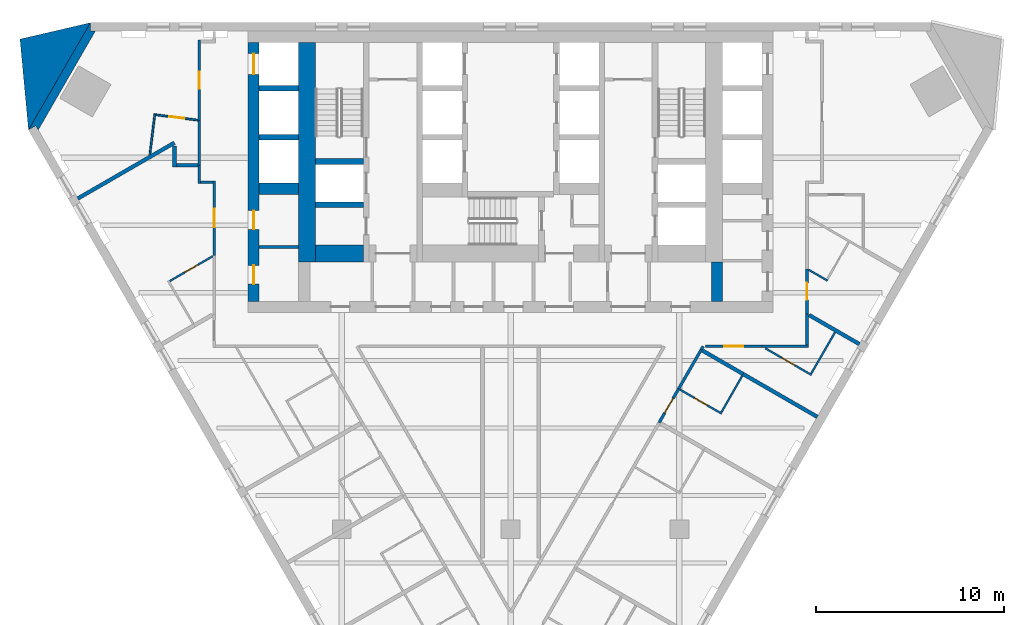
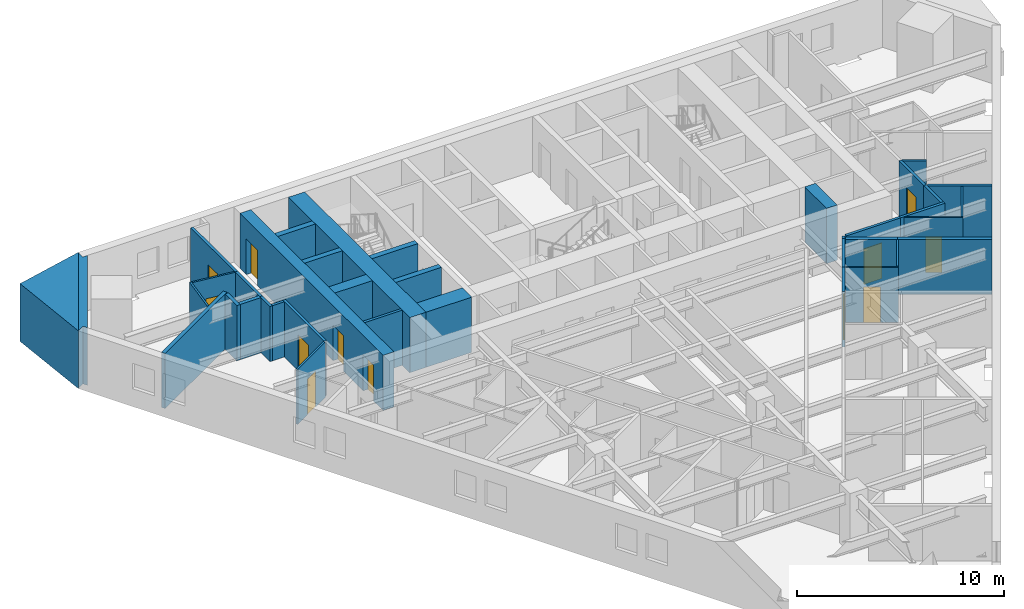
# One storey, part 5 of 10: 38 walls, 12 doors, 12 openings.
"""IFC4 building model written with IfcOpenShell, lengths in metres."""

import ifcopenshell
import ifcopenshell.guid

model = None  # the IFC model being written
_history = None  # IfcOwnerHistory: only IFC2X3 demands one
_inside = {}  # id of a spatial element -> (the spatial element, [elements in it])
_under = {}  # id of a project, library or spatial element -> (it, [spatial elements below it])
_declared = {}  # id of a project -> (the project, [libraries it declares])
_typed = {}  # id of a type object -> (the type object, [elements of that type])
_made_of = {}  # id of a material, layer set ... -> (it, [elements and type objects made of it])


def new_model(schema):
    """Start an empty IFC model of exactly this schema.

    Asked for "IFC4X3", IfcOpenShell would pick the latest addendum, in which some entities
    have other attributes; the version numbers below select the first issue.
    IFC2X3 requires an IfcOwnerHistory on every rooted entity: one is made here for all.
    """
    global model, _history
    if schema == "IFC4X3":
        model = ifcopenshell.file(schema_version=(4, 3, 0, 0))
    else:
        model = ifcopenshell.file(schema=schema)
    _inside.clear()
    _under.clear()
    _declared.clear()
    _typed.clear()
    _made_of.clear()
    _history = None
    if model.schema == "IFC2X3":
        org = make("IfcOrganization", Name="unknown")
        user = make(
            "IfcPersonAndOrganization",
            ThePerson=make("IfcPerson", FamilyName="unknown"),
            TheOrganization=org,
        )
        app = make(
            "IfcApplication",
            ApplicationDeveloper=org,
            Version="unknown",
            ApplicationFullName="unknown",
            ApplicationIdentifier="unknown",
        )
        _history = make(
            "IfcOwnerHistory",
            OwningUser=user,
            OwningApplication=app,
            ChangeAction="ADDED",
            CreationDate=0,
        )
    return model


def make(cls, **values):
    """One entity of the class cls with the attributes given. An attribute that is None is left unset."""
    return model.create_entity(
        cls, **{name: value for name, value in values.items() if value is not None}
    )


def rooted(cls, **values):
    """An entity with a GlobalId (a new one), such as an element, a storey or a relation."""
    return make(cls, GlobalId=ifcopenshell.guid.new(), OwnerHistory=_history, **values)


def si_unit(unit_type, name, prefix=None):
    """IfcSIUnit, for example si_unit("LENGTHUNIT", "METRE", prefix="MILLI")."""
    return make("IfcSIUnit", UnitType=unit_type, Prefix=prefix, Name=name)


def assignment(units):
    """IfcUnitAssignment: the units of a project."""
    return None if units is None else make("IfcUnitAssignment", Units=units)


def point(xyz):
    """IfcCartesianPoint."""
    return None if xyz is None else make("IfcCartesianPoint", Coordinates=xyz)


def direction(xyz):
    """IfcDirection."""
    return None if xyz is None else make("IfcDirection", DirectionRatios=xyz)


def frame(location, z_axis=None, x_axis=None):
    """IfcAxis2Placement3D, a coordinate frame: its origin and axes. An axis left out is left unset."""
    return make(
        "IfcAxis2Placement3D",
        Location=point(location),
        Axis=direction(z_axis),
        RefDirection=direction(x_axis),
    )


def frame_2d(location, x_axis=None):
    """IfcAxis2Placement2D, a coordinate frame in the plane: its origin and x axis."""
    return make(
        "IfcAxis2Placement2D", Location=point(location), RefDirection=direction(x_axis)
    )


def origin():
    """The frame at (0, 0, 0) with its axes left unset."""
    return frame((0.0, 0.0, 0.0))


def place(relative_to, where):
    """IfcLocalPlacement: puts the frame where relative to a parent placement (None: the world)."""
    return make(
        "IfcLocalPlacement", PlacementRelTo=relative_to, RelativePlacement=where
    )


def context(
    kind, dimensions, precision=None, world=None, true_north=None, identifier=None
):
    """IfcGeometricRepresentationContext, for example the 3D "Model" context."""
    return make(
        "IfcGeometricRepresentationContext",
        ContextIdentifier=identifier,
        ContextType=kind,
        CoordinateSpaceDimension=dimensions,
        Precision=precision,
        WorldCoordinateSystem=world,
        TrueNorth=true_north,
    )


def subcontext(parent, identifier, kind, view, scale=None):
    """IfcGeometricRepresentationSubContext, for example "Body" below "Model"."""
    return make(
        "IfcGeometricRepresentationSubContext",
        ContextIdentifier=identifier,
        ContextType=kind,
        ParentContext=parent,
        TargetScale=scale,
        TargetView=view,
    )


def project(units=None, contexts=None):
    """IfcProject with its units and contexts."""
    return rooted(
        "IfcProject",
        Name="project",
        RepresentationContexts=contexts,
        UnitsInContext=assignment(units),
    )


def spatial(cls, under=None, at=None, **own):
    """A site, building, storey or space (cls), placed at a placement, below another one or the project."""
    s = rooted(cls, ObjectPlacement=at, **own)
    if under is not None:
        _under.setdefault(under.id(), (under, []))[1].append(s)
    return s


def polyline(points):
    """IfcPolyline through the points."""
    return make("IfcPolyline", Points=[point(p) for p in points])


def profile(cls, at=None, kind="AREA", **sizes):
    """A parametric profile (cls). Its sizes go by their IFC names, for example OverallWidth=200.0."""
    return make(cls, ProfileType=kind, Position=at, **sizes)


def rectangle(**sizes):
    """IfcRectangleProfileDef."""
    return profile("IfcRectangleProfileDef", **sizes)


def outline(outer, holes=None, kind="AREA"):
    """IfcArbitraryClosedProfileDef: a profile drawn as a closed curve; with holes, ...WithVoids."""
    if holes is None:
        return make("IfcArbitraryClosedProfileDef", ProfileType=kind, OuterCurve=outer)
    return make(
        "IfcArbitraryProfileDefWithVoids",
        ProfileType=kind,
        OuterCurve=outer,
        InnerCurves=holes,
    )


def extrude(swept, where, along, depth):
    """IfcExtrudedAreaSolid: the profile swept, set in the frame where, extruded along a direction by depth."""
    return make(
        "IfcExtrudedAreaSolid",
        SweptArea=swept,
        Position=where,
        ExtrudedDirection=direction(along),
        Depth=depth,
    )


def shape(context_of_items, identifier, shape_type, items):
    """IfcShapeRepresentation: the items that make up one representation, for example the "Body"."""
    return make(
        "IfcShapeRepresentation",
        ContextOfItems=context_of_items,
        RepresentationIdentifier=identifier,
        RepresentationType=shape_type,
        Items=items,
    )


def material(Name=None, Category=None):
    """IfcMaterial."""
    return make("IfcMaterial", Name=Name, Category=Category)


def layer(
    of_material, thickness, ventilated=None, Name=None, Category=None, Priority=None
):
    """IfcMaterialLayer: one layer of a wall or slab, of a material (None: an air gap)."""
    return make(
        "IfcMaterialLayer",
        Material=of_material,
        LayerThickness=thickness,
        IsVentilated=ventilated,
        Name=Name,
        Category=Category,
        Priority=Priority,
    )


def layer_set(layers, Name=None):
    """IfcMaterialLayerSet."""
    return make("IfcMaterialLayerSet", MaterialLayers=layers, LayerSetName=Name)


def made_of(thing, what):
    """Note that an element or type object is made of a material, layer set ...; save() writes the relation."""
    if what is not None:
        _made_of.setdefault(what.id(), (what, []))[1].append(thing)
    return thing


def type_object(cls, material=None, **own):
    """A type object (cls), such as IfcWallType, which elements share."""
    return made_of(rooted(cls, **own), material)


def element(
    cls,
    number,
    at=None,
    inside=None,
    cuts=None,
    type_object=None,
    material=None,
    context=None,
    identifier="Body",
    shape_type=None,
    held_by="IfcProductDefinitionShape",
    body=None,
    shapes=None,
    **own,
):
    """One element of the class cls, such as IfcWall. Its Tag is "e" and its number.

    at: its placement. inside: the storey or other place that contains it. cuts: it is an
    opening in that element (IfcRelVoidsElement). A single representation is given by context,
    identifier, shape_type and body (its items); several are given by shapes. held_by: the class
    of the entity that holds the representations. save() writes the other relations.
    """
    e = rooted(cls, Tag="e%d" % number, ObjectPlacement=at, **own)
    if body is not None:
        shapes = [shape(context, identifier, shape_type, body)]
    if shapes is not None:
        e.Representation = make(held_by, Representations=shapes)
    if inside is not None:
        _inside.setdefault(inside.id(), (inside, []))[1].append(e)
    if cuts is not None:
        rooted(
            "IfcRelVoidsElement", RelatingBuildingElement=cuts, RelatedOpeningElement=e
        )
    if type_object is not None:
        _typed.setdefault(type_object.id(), (type_object, []))[1].append(e)
    return made_of(e, material)


def fill(opening, filler):
    """IfcRelFillsElement: the door or window that sits in an opening."""
    return rooted(
        "IfcRelFillsElement",
        RelatingOpeningElement=opening,
        RelatedBuildingElement=filler,
    )


def aggregate(whole, parts):
    """IfcRelAggregates: a whole, such as a stair, and the parts it consists of."""
    return rooted("IfcRelAggregates", RelatingObject=whole, RelatedObjects=parts)


def save(model, path):
    """Write the relations noted so far, then the file.

    IfcRelAggregates (storeys below a building ...), IfcRelContainedInSpatialStructure (elements
    in a storey), IfcRelDefinesByType, IfcRelAssociatesMaterial and IfcRelDeclares: one each for
    every whole, place, type object, material and project.
    """
    for whole, parts in _under.values():
        aggregate(whole, parts)
    for where, things in _inside.values():
        rooted(
            "IfcRelContainedInSpatialStructure",
            RelatedElements=things,
            RelatingStructure=where,
        )
    for kind, things in _typed.values():
        rooted("IfcRelDefinesByType", RelatedObjects=things, RelatingType=kind)
    for what, things in _made_of.values():
        rooted("IfcRelAssociatesMaterial", RelatedObjects=things, RelatingMaterial=what)
    for by, libraries in _declared.values():
        rooted("IfcRelDeclares", RelatingContext=by, RelatedDefinitions=libraries)
    model.write(path)


model = new_model("IFC4")

# Units and contexts
model_context = context("Model", 3, precision=1e-05, world=origin(), true_north=direction((0.0, 1.0)))
body_context = subcontext(model_context, "Body", "Model", "MODEL_VIEW")
ifc_project = project(units=[si_unit("LENGTHUNIT", "METRE"), si_unit("AREAUNIT", "SQUARE_METRE"), si_unit("VOLUMEUNIT", "CUBIC_METRE"), si_unit("PLANEANGLEUNIT", "RADIAN"), si_unit("MASSUNIT", "GRAM", prefix="KILO")], contexts=[model_context])

# Site, building, storey
site_placement = place(None, origin())
site = spatial("IfcSite", under=ifc_project, at=site_placement, CompositionType="ELEMENT")
building_placement = place(site_placement, origin())
building = spatial("IfcBuilding", under=site, at=building_placement, Name="Aloe Facet Convention Tower", CompositionType="ELEMENT")
storey_placement = place(building_placement, frame((0.0, 0.0, 73.5)))
storey = spatial("IfcBuildingStorey", under=building, at=storey_placement, Name="L17", CompositionType="ELEMENT", Elevation=73.5)

# Walls
ifc_material_1 = material(Name="Concrete blockwork partition", Category="masonry")
ifc_layer_1 = layer(ifc_material_1, 0.14990234375)
ifc_layer_set_1 = layer_set([ifc_layer_1], Name="CR-W-PART150")
wall_type_1 = type_object("IfcWallType", Name="CR-W-PART150", PredefinedType="PARTITIONING", material=ifc_layer_set_1)
wall_1_placement = place(storey_placement, frame((66.60009765625, 123.048583984375, 0.0), z_axis=(0.0, 0.0, 1.0), x_axis=(1.0, 0.0, 0.0)))
element("IfcWall", 1, at=wall_1_placement, inside=storey, type_object=wall_type_1, Name="Core partition L17-007", PredefinedType="PARTITIONING", context=body_context, shape_type="SweptSolid", body=[
    extrude(rectangle(XDim=2.099853515625, YDim=0.14990234375, at=frame_2d((1.0498046875, 0.0))), origin(), (0.0, 0.0, 1.0), 3.25),
])
ifc_material_2 = material(Name="Concrete C80/95", Category="concrete")
ifc_layer_2 = layer(ifc_material_2, 0.300048828125)
ifc_layer_set_2 = layer_set([ifc_layer_2], Name="CR-W-RC300-C8095")
wall_type_2 = type_object("IfcWallType", Name="CR-W-RC300-C8095", PredefinedType="SOLIDWALL", material=ifc_layer_set_2)
for number, where, z_axis, x_axis, name in (
    (2, (66.60009765625, 131.5, 0.0), (0.0, 0.0, 1.0), (1.0, 0.0, 0.0), "Core wall L17-004"),
    (3, (66.60009765625, 128.89990234375, 0.0), (0.0, 0.0, 1.0), (1.0, 0.0, 0.0), "Core wall L17-005"),
):
    element("IfcWall", number, at=place(storey_placement, frame(where, z_axis=z_axis, x_axis=x_axis)), inside=storey, type_object=wall_type_2, Name=name, PredefinedType="SOLIDWALL", context=body_context, shape_type="SweptSolid", body=[
        extrude(rectangle(XDim=2.099853515625, YDim=0.300048828125, at=frame_2d((1.0498046875, 0.0))), origin(), (0.0, 0.0, 1.0), 3.25),
    ])
for number, where, z_axis, x_axis, name in (
    (4, (69.60009765625, 127.60009765625, 0.0), (0.0, 0.0, 1.0), (1.0, 0.0, 0.0), "Core wall L17-010"),
    (5, (69.60009765625, 125.300048828125, 0.0), (0.0, 0.0, 1.0), (1.0, 0.0, 0.0), "Core wall L17-011"),
):
    element("IfcWall", number, at=place(storey_placement, frame(where, z_axis=z_axis, x_axis=x_axis)), inside=storey, type_object=wall_type_2, Name=name, PredefinedType="SOLIDWALL", context=body_context, shape_type="SweptSolid", body=[
        extrude(rectangle(XDim=2.5498046875, YDim=0.300048828125, at=frame_2d((1.27490234375, 0.0))), origin(), (0.0, 0.0, 1.0), 3.25),
    ])

# Wall, openings, doors
ifc_material_3 = material(Name="Concrete C80/95", Category="concrete")
ifc_layer_3 = layer(ifc_material_3, 0.60009765625)
ifc_layer_set_3 = layer_set([ifc_layer_3], Name="CR-W-RC600-C8095")
wall_type_3 = type_object("IfcWallType", Name="CR-W-RC600-C8095", PredefinedType="SOLIDWALL", material=ifc_layer_set_3)
wall_2_placement = place(storey_placement, frame((66.300048828125, 133.949951171875, 0.0), z_axis=(0.0, 0.0, 1.0), x_axis=(0.0, -1.0, 0.0)))
wall_2 = element("IfcWall", 6, at=wall_2_placement, inside=storey, type_object=wall_type_3, Name="Core wall L17-002", PredefinedType="SOLIDWALL", context=body_context, shape_type="SweptSolid", body=[
    extrude(rectangle(XDim=13.800048828125, YDim=0.60009765625, at=frame_2d((6.89990234375, 0.0))), origin(), (0.0, 0.0, 1.0), 3.25),
])
opening_1_placement = place(wall_2_placement, frame((0.60009765625, 0.0, 0.0)))
opening_1 = element("IfcOpeningElement", 7, at=opening_1_placement, cuts=wall_2, Name="Opening LD-A7-L17", PredefinedType="OPENING", context=body_context, shape_type="SweptSolid", body=[
    extrude(rectangle(XDim=1.10009765625, YDim=2.10009765625, at=frame_2d((0.550048828125, 1.050048828125))), frame((0.0, 0.31005859375, 0.0), z_axis=(0.0, -1.0, 0.0), x_axis=(1.0, 0.0, 0.0)), (0.0, 0.0, 1.0), 0.6201171875),
])
opening_2_placement = place(wall_2_placement, frame((8.963134765625, 0.0, 0.0)))
opening_2 = element("IfcOpeningElement", 8, at=opening_2_placement, cuts=wall_2, Name="Opening L17-CD34", PredefinedType="OPENING", context=body_context, shape_type="SweptSolid", body=[
    extrude(rectangle(XDim=1.0, YDim=2.10009765625, at=frame_2d((0.5, 1.050048828125))), frame((0.0, 0.31005859375, 0.0), z_axis=(0.0, -1.0, 0.0), x_axis=(1.0, 0.0, 0.0)), (0.0, 0.0, 1.0), 0.6201171875),
])
opening_3_placement = place(wall_2_placement, frame((11.88818359375, 0.0, 0.0)))
opening_3 = element("IfcOpeningElement", 9, at=opening_3_placement, cuts=wall_2, Name="Opening L17-CD35", PredefinedType="OPENING", context=body_context, shape_type="SweptSolid", body=[
    extrude(rectangle(XDim=1.0, YDim=2.10009765625, at=frame_2d((0.5, 1.050048828125))), frame((0.0, 0.31005859375, 0.0), z_axis=(0.0, -1.0, 0.0), x_axis=(1.0, 0.0, 0.0)), (0.0, 0.0, 1.0), 0.6201171875),
])
ifc_material_4 = material(Name="Steel fire-resisting door set FD60", Category="steel")
door_type_1 = type_object("IfcDoorType", Name="CR-D-ROOM-1000-FD60-SLEFT", OperationType="SINGLE_SWING_LEFT", PredefinedType="DOOR", material=ifc_material_4)
door_1_placement = place(opening_2_placement, origin())
door_1 = element("IfcDoor", 10, at=door_1_placement, inside=storey, type_object=door_type_1, Name="Core door L17-CD34", OperationType="SINGLE_SWING_LEFT", OverallHeight=2.10009765625, OverallWidth=1.0, PredefinedType="DOOR", context=body_context, shape_type="SweptSolid", body=[
    extrude(rectangle(XDim=1.0, YDim=2.10009765625, at=frame_2d((0.5, 1.050048828125))), frame((0.0, 0.02490234375, 0.0), z_axis=(0.0, -1.0, 0.0), x_axis=(1.0, 0.0, 0.0)), (0.0, 0.0, 1.0), 0.050048828125),
])
fill(opening_2, door_1)
door_2_placement = place(opening_3_placement, origin())
door_2 = element("IfcDoor", 11, at=door_2_placement, inside=storey, type_object=door_type_1, Name="Core door L17-CD35", OperationType="SINGLE_SWING_LEFT", OverallHeight=2.10009765625, OverallWidth=1.0, PredefinedType="DOOR", context=body_context, shape_type="SweptSolid", body=[
    extrude(rectangle(XDim=1.0, YDim=2.10009765625, at=frame_2d((0.5, 1.050048828125))), frame((0.0, 0.02490234375, 0.0), z_axis=(0.0, -1.0, 0.0), x_axis=(1.0, 0.0, 0.0)), (0.0, 0.0, 1.0), 0.050048828125),
])
fill(opening_3, door_2)
ifc_material_5 = material(Name="Stainless steel sliding landing door", Category="steel")
door_type_2 = type_object("IfcDoorType", Name="CR-LD-1100-FD60-_LEFT", OperationType="SLIDING_TO_LEFT", PredefinedType="DOOR", material=ifc_material_5)
door_3_placement = place(opening_1_placement, origin())
door_3 = element("IfcDoor", 12, at=door_3_placement, inside=storey, type_object=door_type_2, Name="Landing door A7 L17", OperationType="SLIDING_TO_LEFT", OverallHeight=2.10009765625, OverallWidth=1.10009765625, PredefinedType="DOOR", context=body_context, shape_type="SweptSolid", body=[
    extrude(rectangle(XDim=1.10009765625, YDim=2.10009765625, at=frame_2d((0.550048828125, 1.050048828125))), frame((0.0, 0.02490234375, 0.0), z_axis=(0.0, -1.0, 0.0), x_axis=(1.0, 0.0, 0.0)), (0.0, 0.0, 1.0), 0.050048828125),
])
fill(opening_1, door_3)

# Walls
wall_3_placement = place(storey_placement, frame((66.60009765625, 126.14990234375, 0.0), z_axis=(0.0, 0.0, 1.0), x_axis=(1.0, 0.0, 0.0)))
element("IfcWall", 13, at=wall_3_placement, inside=storey, type_object=wall_type_3, Name="Core wall L17-006", PredefinedType="SOLIDWALL", context=body_context, shape_type="SweptSolid", body=[
    extrude(rectangle(XDim=2.099853515625, YDim=0.60009765625, at=frame_2d((1.0498046875, 0.0))), origin(), (0.0, 0.0, 1.0), 3.25),
])
wall_4_placement = place(storey_placement, frame((91.0, 122.25, 0.0), z_axis=(0.0, 0.0, 1.0), x_axis=(0.0, -1.0, 0.0)))
element("IfcWall", 14, at=wall_4_placement, inside=storey, type_object=wall_type_3, Name="Core wall L17-047", PredefinedType="SOLIDWALL", context=body_context, shape_type="SweptSolid", body=[
    extrude(rectangle(XDim=2.10009765625, YDim=0.60009765625, at=frame_2d((1.050048828125, 0.0))), origin(), (0.0, 0.0, 1.0), 3.25),
])
ifc_material_6 = material(Name="Concrete C80/95", Category="concrete")
ifc_layer_4 = layer(ifc_material_6, 0.89990234375)
ifc_layer_set_4 = layer_set([ifc_layer_4], Name="CR-W-RC900-C8095")
wall_type_4 = type_object("IfcWallType", Name="CR-W-RC900-C8095", PredefinedType="SOLIDWALL", material=ifc_layer_set_4)
wall_5_placement = place(storey_placement, frame((69.14990234375, 133.949951171875, 0.0), z_axis=(0.0, 0.0, 1.0), x_axis=(0.0, -1.0, 0.0)))
element("IfcWall", 15, at=wall_5_placement, inside=storey, type_object=wall_type_4, Name="Core wall L17-008", PredefinedType="SOLIDWALL", context=body_context, shape_type="SweptSolid", body=[
    extrude(rectangle(XDim=11.699951171875, YDim=0.89990234375, at=frame_2d((5.85009765625, 0.0))), origin(), (0.0, 0.0, 1.0), 3.25),
])
wall_6_placement = place(storey_placement, frame((69.60009765625, 122.699951171875, 0.0), z_axis=(0.0, 0.0, 1.0), x_axis=(1.0, 0.0, 0.0)))
element("IfcWall", 16, at=wall_6_placement, inside=storey, type_object=wall_type_4, Name="Core wall L17-012", PredefinedType="SOLIDWALL", context=body_context, shape_type="SweptSolid", body=[
    extrude(rectangle(XDim=2.5498046875, YDim=0.89990234375, at=frame_2d((1.27490234375, 0.0))), origin(), (0.0, 0.0, 1.0), 3.25),
])
ifc_material_7 = material(Name="Precast concrete C40/50", Category="concrete")
ifc_layer_5 = layer(ifc_material_7, 0.449951171875)
ifc_layer_set_5 = layer_set([ifc_layer_5], Name="EV-WALL-PIER")
wall_type_5 = type_object("IfcWallType", Name="EV-WALL-PIER", PredefinedType="SOLIDWALL", material=ifc_layer_set_5)
wall_7_placement = place(storey_placement, frame((0.0, 0.0, -0.14990234375)))
element("IfcWall", 17, at=wall_7_placement, inside=storey, type_object=wall_type_5, Name="EP-L17-A", PredefinedType="SOLIDWALL", context=body_context, shape_type="SweptSolid", body=[
    extrude(outline(polyline([(57.60009765625, 135.0), (57.60009765625, 134.550048828125), (57.85986328125, 134.550048828125), (54.819580078125, 129.2841796875), (54.689697265625, 129.50927734375), (54.300048828125, 129.2841796875), (57.60009765625, 135.0)])), origin(), (0.0, 0.0, 1.0), 3.39990234375),
])
ifc_material_8 = material(Name="Precast concrete C40/50", Category="concrete")
ifc_layer_6 = layer(ifc_material_8, 3.947998046875)
ifc_layer_set_6 = layer_set([ifc_layer_6], Name="EV-WALL-SPINE")
wall_type_6 = type_object("IfcWallType", Name="EV-WALL-SPINE", PredefinedType="SOLIDWALL", material=ifc_layer_set_6)
wall_8_placement = place(storey_placement, frame((0.0, 0.0, -0.14990234375)))
element("IfcWall", 18, at=wall_8_placement, inside=storey, type_object=wall_type_6, Name="SP-NW-L17", PredefinedType="SOLIDWALL", context=body_context, shape_type="SweptSolid", body=[
    extrude(outline(polyline([(57.60009765625, 135.0), (53.84814453125, 134.126953125), (54.300048828125, 129.2841796875), (57.60009765625, 135.0)])), origin(), (0.0, 0.0, 1.0), 3.39990234375),
])
ifc_material_9 = material(Name="Gypsum board partition on steel studs", Category="steel")
ifc_layer_7 = layer(ifc_material_9, 0.14990234375)
ifc_layer_set_7 = layer_set([ifc_layer_7], Name="IN-W-CORR")
wall_type_7 = type_object("IfcWallType", Name="IN-W-CORR", PredefinedType="PARTITIONING", material=ifc_layer_set_7)
wall_9_placement = place(storey_placement, frame((88.958251953125, 115.486572265625, 0.0), z_axis=(0.0, 0.0, 1.0), x_axis=(0.500001309137, 0.866024647952, 0.0)))
element("IfcWall", 19, at=wall_9_placement, inside=storey, type_object=wall_type_7, Name="Partition L17-W064", PredefinedType="PARTITIONING", context=body_context, shape_type="SweptSolid", body=[
    extrude(rectangle(XDim=2.39990234375, YDim=0.14990234375, at=frame_2d((1.199951171875, 0.0))), origin(), (0.0, 0.0, 1.0), 3.25),
])

# Wall, opening, door
wall_10_placement = place(storey_placement, frame((87.918212890625, 113.685302734375, 0.0), z_axis=(0.0, 0.0, 1.0), x_axis=(0.500027264788, 0.866009661879, 0.0)))
wall_10 = element("IfcWall", 20, at=wall_10_placement, inside=storey, type_object=wall_type_7, Name="Partition L17-W065", PredefinedType="PARTITIONING", context=body_context, shape_type="SweptSolid", body=[
    extrude(rectangle(XDim=2.080078125, YDim=0.14990234375, at=frame_2d((1.0400390625, 0.0))), origin(), (0.0, 0.0, 1.0), 3.25),
])
opening_4_placement = place(wall_10_placement, frame((0.590087890625, 0.0, 0.0)))
opening_4 = element("IfcOpeningElement", 21, at=opening_4_placement, cuts=wall_10, Name="Opening L17-009", PredefinedType="OPENING", context=body_context, shape_type="SweptSolid", body=[
    extrude(rectangle(XDim=0.89990234375, YDim=2.10009765625, at=frame_2d((0.449951171875, 1.050048828125))), frame((0.0, 0.0849609375, 0.0), z_axis=(0.0, -1.0, 0.0), x_axis=(1.0, 0.0, 0.0)), (0.0, 0.0, 1.0), 0.169921875),
])
ifc_material_10 = material(Name="Hardwood flush door FD30S", Category="wood")
door_type_3 = type_object("IfcDoorType", Name="IN-D-GUEST", OperationType="SINGLE_SWING_LEFT", PredefinedType="DOOR", material=ifc_material_10)
door_4_placement = place(opening_4_placement, origin())
door_4 = element("IfcDoor", 22, at=door_4_placement, inside=storey, type_object=door_type_3, Name="Door L17-009", OperationType="SINGLE_SWING_LEFT", OverallHeight=2.10009765625, OverallWidth=0.89990234375, PredefinedType="DOOR", context=body_context, shape_type="SweptSolid", body=[
    extrude(rectangle(XDim=0.89990234375, YDim=2.10009765625, at=frame_2d((0.449951171875, 1.050048828125))), frame((0.0, 0.02490234375, 0.0), z_axis=(0.0, -1.0, 0.0), x_axis=(1.0, 0.0, 0.0)), (0.0, 0.0, 1.0), 0.050048828125),
])
fill(opening_4, door_4)

# Walls
wall_11_placement = place(storey_placement, frame((90.158203125, 117.56494140625, 0.0), z_axis=(0.0, 0.0, 1.0), x_axis=(0.499458580617, 0.866337766837, 0.0)))
element("IfcWall", 23, at=wall_11_placement, inside=storey, type_object=wall_type_7, Name="Partition L17-W080", PredefinedType="PARTITIONING", context=body_context, shape_type="SweptSolid", body=[
    extrude(rectangle(XDim=0.213623046875, YDim=0.14990234375, at=frame_2d((0.10693359375, 0.0))), origin(), (0.0, 0.0, 1.0), 3.25),
])
wall_12_placement = place(storey_placement, frame((93.39794921875, 117.75, 0.0), z_axis=(0.0, 0.0, 1.0), x_axis=(1.0, 0.0, 0.0)))
element("IfcWall", 24, at=wall_12_placement, inside=storey, type_object=wall_type_7, Name="Partition L17-W081", PredefinedType="PARTITIONING", context=body_context, shape_type="SweptSolid", body=[
    extrude(rectangle(XDim=2.47705078125, YDim=0.14990234375, at=frame_2d((1.238525390625, 0.0))), origin(), (0.0, 0.0, 1.0), 3.25),
])

# Wall, opening, door
wall_13_placement = place(storey_placement, frame((90.394775390625, 117.75, 0.0), z_axis=(0.0, 0.0, 1.0), x_axis=(1.0, 0.0, 0.0)))
wall_13 = element("IfcWall", 25, at=wall_13_placement, inside=storey, type_object=wall_type_7, Name="Partition L17-W082", PredefinedType="PARTITIONING", context=body_context, shape_type="SweptSolid", body=[
    extrude(rectangle(XDim=3.003173828125, YDim=0.14990234375, at=frame_2d((1.50146484375, 0.0))), origin(), (0.0, 0.0, 1.0), 3.25),
])
opening_5_placement = place(wall_13_placement, frame((1.00146484375, 0.0, 0.0)))
opening_5 = element("IfcOpeningElement", 26, at=opening_5_placement, cuts=wall_13, Name="Opening L17-010", PredefinedType="OPENING", context=body_context, shape_type="SweptSolid", body=[
    extrude(rectangle(XDim=1.0, YDim=2.10009765625, at=frame_2d((0.5, 1.050048828125))), frame((0.0, 0.0849609375, 0.0), z_axis=(0.0, -1.0, 0.0), x_axis=(1.0, 0.0, 0.0)), (0.0, 0.0, 1.0), 0.169921875),
])
ifc_material_11 = material(Name="Hardwood flush door FD30S", Category="wood")
door_type_4 = type_object("IfcDoorType", Name="IN-D-WIDE", OperationType="SINGLE_SWING_LEFT", PredefinedType="DOOR", material=ifc_material_11)
door_5_placement = place(opening_5_placement, origin())
door_5 = element("IfcDoor", 27, at=door_5_placement, inside=storey, type_object=door_type_4, Name="Door L17-010", OperationType="SINGLE_SWING_LEFT", OverallHeight=2.10009765625, OverallWidth=1.0, PredefinedType="DOOR", context=body_context, shape_type="SweptSolid", body=[
    extrude(rectangle(XDim=1.0, YDim=2.10009765625, at=frame_2d((0.5, 1.050048828125))), frame((0.0, 0.02490234375, 0.0), z_axis=(0.0, -1.0, 0.0), x_axis=(1.0, 0.0, 0.0)), (0.0, 0.0, 1.0), 0.050048828125),
])
fill(opening_5, door_5)

# Wall
wall_14_placement = place(storey_placement, frame((95.800048828125, 117.824951171875, 0.0), z_axis=(0.0, 0.0, 1.0), x_axis=(0.0, 1.0, 0.0)))
element("IfcWall", 28, at=wall_14_placement, inside=storey, type_object=wall_type_7, Name="Partition L17-W083", PredefinedType="PARTITIONING", context=body_context, shape_type="SweptSolid", body=[
    extrude(rectangle(XDim=1.65576171875, YDim=0.14990234375, at=frame_2d((0.827880859375, 0.0))), origin(), (0.0, 0.0, 1.0), 3.25),
])

# Wall, opening, door
wall_15_placement = place(storey_placement, frame((95.800048828125, 119.480712890625, 0.0), z_axis=(0.0, 0.0, 1.0), x_axis=(0.0, 1.0, 0.0)))
wall_15 = element("IfcWall", 29, at=wall_15_placement, inside=storey, type_object=wall_type_7, Name="Partition L17-W094", PredefinedType="PARTITIONING", context=body_context, shape_type="SweptSolid", body=[
    extrude(rectangle(XDim=2.40185546875, YDim=0.14990234375, at=frame_2d((1.200927734375, 0.0))), origin(), (0.0, 0.0, 1.0), 3.25),
])
opening_6_placement = place(wall_15_placement, frame((0.7509765625, 0.0, 0.0)))
opening_6 = element("IfcOpeningElement", 30, at=opening_6_placement, cuts=wall_15, Name="Opening L17-011", PredefinedType="OPENING", context=body_context, shape_type="SweptSolid", body=[
    extrude(rectangle(XDim=0.89990234375, YDim=2.10009765625, at=frame_2d((0.449951171875, 1.050048828125))), frame((0.0, 0.0849609375, 0.0), z_axis=(0.0, -1.0, 0.0), x_axis=(1.0, 0.0, 0.0)), (0.0, 0.0, 1.0), 0.169921875),
])
door_6_placement = place(opening_6_placement, origin())
door_6 = element("IfcDoor", 31, at=door_6_placement, inside=storey, type_object=door_type_3, Name="Door L17-011", OperationType="SINGLE_SWING_LEFT", OverallHeight=2.10009765625, OverallWidth=0.89990234375, PredefinedType="DOOR", context=body_context, shape_type="SweptSolid", body=[
    extrude(rectangle(XDim=0.89990234375, YDim=2.10009765625, at=frame_2d((0.449951171875, 1.050048828125))), frame((0.0, 0.02490234375, 0.0), z_axis=(0.0, -1.0, 0.0), x_axis=(1.0, 0.0, 0.0)), (0.0, 0.0, 1.0), 0.050048828125),
])
fill(opening_6, door_6)

wall_16_placement = place(storey_placement, frame((64.199951171875, 122.5986328125, 0.0), z_axis=(0.0, 0.0, 1.0), x_axis=(0.0, 1.0, 0.0)))
wall_16 = element("IfcWall", 32, at=wall_16_placement, inside=storey, type_object=wall_type_7, Name="Partition L17-W095", PredefinedType="PARTITIONING", context=body_context, shape_type="SweptSolid", body=[
    extrude(rectangle(XDim=3.976318359375, YDim=0.14990234375, at=frame_2d((1.98828125, 0.0))), origin(), (0.0, 0.0, 1.0), 3.25),
])
opening_7_placement = place(wall_16_placement, frame((1.48828125, 0.0, 0.0)))
opening_7 = element("IfcOpeningElement", 33, at=opening_7_placement, cuts=wall_16, Name="Opening L17-003", PredefinedType="OPENING", context=body_context, shape_type="SweptSolid", body=[
    extrude(rectangle(XDim=1.0, YDim=2.10009765625, at=frame_2d((0.5, 1.050048828125))), frame((0.0, 0.0849609375, 0.0), z_axis=(0.0, -1.0, 0.0), x_axis=(1.0, 0.0, 0.0)), (0.0, 0.0, 1.0), 0.169921875),
])
door_7_placement = place(opening_7_placement, origin())
door_7 = element("IfcDoor", 34, at=door_7_placement, inside=storey, type_object=door_type_4, Name="Door L17-003", OperationType="SINGLE_SWING_LEFT", OverallHeight=2.10009765625, OverallWidth=1.0, PredefinedType="DOOR", context=body_context, shape_type="SweptSolid", body=[
    extrude(rectangle(XDim=1.0, YDim=2.10009765625, at=frame_2d((0.5, 1.050048828125))), frame((0.0, 0.02490234375, 0.0), z_axis=(0.0, -1.0, 0.0), x_axis=(1.0, 0.0, 0.0)), (0.0, 0.0, 1.0), 0.050048828125),
])
fill(opening_7, door_7)

# Walls
wall_17_placement = place(storey_placement, frame((63.39990234375, 126.425048828125, 0.0), z_axis=(0.0, 0.0, 1.0), x_axis=(0.0, 1.0, 0.0)))
element("IfcWall", 35, at=wall_17_placement, inside=storey, type_object=wall_type_7, Name="Partition L17-W107", PredefinedType="PARTITIONING", context=body_context, shape_type="SweptSolid", body=[
    extrude(rectangle(XDim=0.974853515625, YDim=0.14990234375, at=frame_2d((0.4873046875, 0.0))), origin(), (0.0, 0.0, 1.0), 3.25),
])
wall_18_placement = place(storey_placement, frame((63.47509765625, 126.5, 0.0), z_axis=(0.0, 0.0, 1.0), x_axis=(1.0, 0.0, 0.0)))
element("IfcWall", 36, at=wall_18_placement, inside=storey, type_object=wall_type_7, Name="Partition L17-W108", PredefinedType="PARTITIONING", context=body_context, shape_type="SweptSolid", body=[
    extrude(rectangle(XDim=0.64990234375, YDim=0.14990234375, at=frame_2d((0.324951171875, 0.0))), origin(), (0.0, 0.0, 1.0), 3.25),
])

# Wall, opening, door
wall_19_placement = place(storey_placement, frame((63.39990234375, 129.798095703125, 0.0), z_axis=(0.0, 0.0, 1.0), x_axis=(0.0, 1.0, 0.0)))
wall_19 = element("IfcWall", 37, at=wall_19_placement, inside=storey, type_object=wall_type_7, Name="Partition L17-W116", PredefinedType="PARTITIONING", context=body_context, shape_type="SweptSolid", body=[
    extrude(rectangle(XDim=4.2763671875, YDim=0.14990234375, at=frame_2d((2.13818359375, 0.0))), origin(), (0.0, 0.0, 1.0), 3.25),
])
opening_8_placement = place(wall_19_placement, frame((1.688232421875, 0.0, 0.0)))
opening_8 = element("IfcOpeningElement", 38, at=opening_8_placement, cuts=wall_19, Name="Opening L17-002", PredefinedType="OPENING", context=body_context, shape_type="SweptSolid", body=[
    extrude(rectangle(XDim=0.89990234375, YDim=2.10009765625, at=frame_2d((0.449951171875, 1.050048828125))), frame((0.0, 0.0849609375, 0.0), z_axis=(0.0, -1.0, 0.0), x_axis=(1.0, 0.0, 0.0)), (0.0, 0.0, 1.0), 0.169921875),
])
door_8_placement = place(opening_8_placement, origin())
door_8 = element("IfcDoor", 39, at=door_8_placement, inside=storey, type_object=door_type_3, Name="Door L17-002", OperationType="SINGLE_SWING_LEFT", OverallHeight=2.10009765625, OverallWidth=0.89990234375, PredefinedType="DOOR", context=body_context, shape_type="SweptSolid", body=[
    extrude(rectangle(XDim=0.89990234375, YDim=2.10009765625, at=frame_2d((0.449951171875, 1.050048828125))), frame((0.0, 0.02490234375, 0.0), z_axis=(0.0, -1.0, 0.0), x_axis=(1.0, 0.0, 0.0)), (0.0, 0.0, 1.0), 0.050048828125),
])
fill(opening_8, door_8)

# Wall
wall_20_placement = place(storey_placement, frame((63.39990234375, 127.39990234375, 0.0), z_axis=(0.0, 0.0, 1.0), x_axis=(0.0, 1.0, 0.0)))
element("IfcWall", 40, at=wall_20_placement, inside=storey, type_object=wall_type_7, Name="Partition L17-W117", PredefinedType="PARTITIONING", context=body_context, shape_type="SweptSolid", body=[
    extrude(rectangle(XDim=2.398193359375, YDim=0.14990234375, at=frame_2d((1.19921875, 0.0))), origin(), (0.0, 0.0, 1.0), 3.25),
])

# Wall, opening, door
ifc_material_12 = material(Name="Gypsum board partition on steel studs", Category="steel")
ifc_layer_8 = layer(ifc_material_12, 0.10009765625)
ifc_layer_set_8 = layer_set([ifc_layer_8], Name="IN-W-PART")
wall_type_8 = type_object("IfcWallType", Name="IN-W-PART", PredefinedType="PARTITIONING", material=ifc_layer_set_8)
wall_21_placement = place(storey_placement, frame((89.03173828125, 115.444091796875, 0.0), z_axis=(0.0, 0.0, 1.0), x_axis=(0.866038183914, -0.499977863513, 0.0)))
wall_21 = element("IfcWall", 41, at=wall_21_placement, inside=storey, type_object=wall_type_8, Name="Partition L17-W062", PredefinedType="PARTITIONING", context=body_context, shape_type="SweptSolid", body=[
    extrude(rectangle(XDim=2.56494140625, YDim=0.10009765625, at=frame_2d((1.282470703125, 0.0))), origin(), (0.0, 0.0, 1.0), 3.25),
])
opening_9_placement = place(wall_21_placement, frame((0.882568359375, 0.0, 0.0)))
opening_9 = element("IfcOpeningElement", 42, at=opening_9_placement, cuts=wall_21, Name="Opening L17-028", PredefinedType="OPENING", context=body_context, shape_type="SweptSolid", body=[
    extrude(rectangle(XDim=0.800048828125, YDim=2.10009765625, at=frame_2d((0.39990234375, 1.050048828125))), frame((0.0, 0.06005859375, 0.0), z_axis=(0.0, -1.0, 0.0), x_axis=(1.0, 0.0, 0.0)), (0.0, 0.0, 1.0), 0.1201171875),
])
ifc_material_13 = material(Name="Timber flush door", Category="wood")
door_type_5 = type_object("IfcDoorType", Name="IN-D-BATH", OperationType="SINGLE_SWING_LEFT", PredefinedType="DOOR", material=ifc_material_13)
door_9_placement = place(opening_9_placement, origin())
door_9 = element("IfcDoor", 43, at=door_9_placement, inside=storey, type_object=door_type_5, Name="Door L17-028", OperationType="SINGLE_SWING_LEFT", OverallHeight=2.10009765625, OverallWidth=0.800048828125, PredefinedType="DOOR", context=body_context, shape_type="SweptSolid", body=[
    extrude(rectangle(XDim=0.800048828125, YDim=2.10009765625, at=frame_2d((0.39990234375, 1.050048828125))), frame((0.0, 0.02490234375, 0.0), z_axis=(0.0, -1.0, 0.0), x_axis=(1.0, 0.0, 0.0)), (0.0, 0.0, 1.0), 0.050048828125),
])
fill(opening_9, door_9)

wall_22_placement = place(storey_placement, frame((93.575439453125, 117.6474609375, 0.0), z_axis=(0.0, 0.0, 1.0), x_axis=(0.866048401274, -0.499960165064, 0.0)))
wall_22 = element("IfcWall", 44, at=wall_22_placement, inside=storey, type_object=wall_type_8, Name="Partition L17-W066", PredefinedType="PARTITIONING", context=body_context, shape_type="SweptSolid", body=[
    extrude(rectangle(XDim=2.844970703125, YDim=0.10009765625, at=frame_2d((1.42236328125, 0.0))), origin(), (0.0, 0.0, 1.0), 3.25),
])
opening_10_placement = place(wall_22_placement, frame((1.0224609375, 0.0, 0.0)))
opening_10 = element("IfcOpeningElement", 45, at=opening_10_placement, cuts=wall_22, Name="Opening L17-029", PredefinedType="OPENING", context=body_context, shape_type="SweptSolid", body=[
    extrude(rectangle(XDim=0.800048828125, YDim=2.10009765625, at=frame_2d((0.39990234375, 1.050048828125))), frame((0.0, 0.06005859375, 0.0), z_axis=(0.0, -1.0, 0.0), x_axis=(1.0, 0.0, 0.0)), (0.0, 0.0, 1.0), 0.1201171875),
])
door_10_placement = place(opening_10_placement, origin())
door_10 = element("IfcDoor", 46, at=door_10_placement, inside=storey, type_object=door_type_5, Name="Door L17-029", OperationType="SINGLE_SWING_LEFT", OverallHeight=2.10009765625, OverallWidth=0.800048828125, PredefinedType="DOOR", context=body_context, shape_type="SweptSolid", body=[
    extrude(rectangle(XDim=0.800048828125, YDim=2.10009765625, at=frame_2d((0.39990234375, 1.050048828125))), frame((0.0, 0.02490234375, 0.0), z_axis=(0.0, -1.0, 0.0), x_axis=(1.0, 0.0, 0.0)), (0.0, 0.0, 1.0), 0.050048828125),
])
fill(opening_10, door_10)

# Walls
wall_23_placement = place(storey_placement, frame((91.23974609375, 114.23876953125, 0.0), z_axis=(0.0, 0.0, 1.0), x_axis=(0.496398307955, 0.868094879526, 0.0)))
element("IfcWall", 47, at=wall_23_placement, inside=storey, type_object=wall_type_8, Name="Partition L17-W067", PredefinedType="PARTITIONING", context=body_context, shape_type="SweptSolid", body=[
    extrude(rectangle(XDim=2.22998046875, YDim=0.10009765625, at=frame_2d((1.114990234375, 0.0))), origin(), (0.0, 0.0, 1.0), 3.25),
])
wall_24_placement = place(storey_placement, frame((96.02099609375, 116.293212890625, 0.0), z_axis=(0.0, 0.0, 1.0), x_axis=(0.500005339912, 0.866022320763, 0.0)))
element("IfcWall", 48, at=wall_24_placement, inside=storey, type_object=wall_type_8, Name="Partition L17-W086", PredefinedType="PARTITIONING", context=body_context, shape_type="SweptSolid", body=[
    extrude(rectangle(XDim=2.5400390625, YDim=0.10009765625, at=frame_2d((1.27001953125, 0.0))), origin(), (0.0, 0.0, 1.0), 3.25),
])

# Wall, opening, door
wall_25_placement = place(storey_placement, frame((61.8271484375, 121.228515625, 0.0), z_axis=(0.0, 0.0, 1.0), x_axis=(0.86601342167, 0.500020753057, 0.0)))
wall_25 = element("IfcWall", 49, at=wall_25_placement, inside=storey, type_object=wall_type_8, Name="Partition L17-W091", PredefinedType="PARTITIONING", context=body_context, shape_type="SweptSolid", body=[
    extrude(rectangle(XDim=2.64501953125, YDim=0.10009765625, at=frame_2d((1.322509765625, 0.0))), origin(), (0.0, 0.0, 1.0), 3.25),
])
opening_11_placement = place(wall_25_placement, frame((0.922607421875, 0.0, 0.0)))
opening_11 = element("IfcOpeningElement", 50, at=opening_11_placement, cuts=wall_25, Name="Opening L17-019", PredefinedType="OPENING", context=body_context, shape_type="SweptSolid", body=[
    extrude(rectangle(XDim=0.800048828125, YDim=2.10009765625, at=frame_2d((0.39990234375, 1.050048828125))), frame((0.0, 0.06005859375, 0.0), z_axis=(0.0, -1.0, 0.0), x_axis=(1.0, 0.0, 0.0)), (0.0, 0.0, 1.0), 0.1201171875),
])
door_11_placement = place(opening_11_placement, origin())
door_11 = element("IfcDoor", 51, at=door_11_placement, inside=storey, type_object=door_type_5, Name="Door L17-019", OperationType="SINGLE_SWING_LEFT", OverallHeight=2.10009765625, OverallWidth=0.800048828125, PredefinedType="DOOR", context=body_context, shape_type="SweptSolid", body=[
    extrude(rectangle(XDim=0.800048828125, YDim=2.10009765625, at=frame_2d((0.39990234375, 1.050048828125))), frame((0.0, 0.02490234375, 0.0), z_axis=(0.0, -1.0, 0.0), x_axis=(1.0, 0.0, 0.0)), (0.0, 0.0, 1.0), 0.050048828125),
])
fill(opening_11, door_11)

# Walls
wall_26_placement = place(storey_placement, frame((95.88232421875, 121.835205078125, 0.0), z_axis=(0.0, 0.0, 1.0), x_axis=(0.86601174498, -0.500023656998, 0.0)))
element("IfcWall", 52, at=wall_26_placement, inside=storey, type_object=wall_type_8, Name="Partition L17-W092", PredefinedType="PARTITIONING", context=body_context, shape_type="SweptSolid", body=[
    extrude(rectangle(XDim=1.16943359375, YDim=0.10009765625, at=frame_2d((0.584716796875, 0.0))), origin(), (0.0, 0.0, 1.0), 3.25),
])
wall_27_placement = place(storey_placement, frame((60.7724609375, 127.986328125, 0.0), z_axis=(0.0, 0.0, 1.0), x_axis=(0.122228209351, 0.992502022587, 0.0)))
element("IfcWall", 53, at=wall_27_placement, inside=storey, type_object=wall_type_8, Name="Partition L17-W113", PredefinedType="PARTITIONING", context=body_context, shape_type="SweptSolid", body=[
    extrude(rectangle(XDim=2.17919921875, YDim=0.10009765625, at=frame_2d((1.089599609375, 0.0))), origin(), (0.0, 0.0, 1.0), 3.25),
])

# Wall, opening, door
wall_28_placement = place(storey_placement, frame((61.082275390625, 130.09326171875, 0.0), z_axis=(0.0, 0.0, 1.0), x_axis=(0.99199127296, -0.126306430445, 0.0)))
wall_28 = element("IfcWall", 54, at=wall_28_placement, inside=storey, type_object=wall_type_8, Name="Partition L17-W118", PredefinedType="PARTITIONING", context=body_context, shape_type="SweptSolid", body=[
    extrude(rectangle(XDim=2.261474609375, YDim=0.10009765625, at=frame_2d((1.130859375, 0.0))), origin(), (0.0, 0.0, 1.0), 3.25),
])
opening_12_placement = place(wall_28_placement, frame((0.730712890625, 0.0, 0.0)))
opening_12 = element("IfcOpeningElement", 55, at=opening_12_placement, cuts=wall_28, Name="Opening L17-018", PredefinedType="OPENING", context=body_context, shape_type="SweptSolid", body=[
    extrude(rectangle(XDim=0.800048828125, YDim=2.10009765625, at=frame_2d((0.39990234375, 1.050048828125))), frame((0.0, 0.06005859375, 0.0), z_axis=(0.0, -1.0, 0.0), x_axis=(1.0, 0.0, 0.0)), (0.0, 0.0, 1.0), 0.1201171875),
])
door_12_placement = place(opening_12_placement, origin())
door_12 = element("IfcDoor", 56, at=door_12_placement, inside=storey, type_object=door_type_5, Name="Door L17-018", OperationType="SINGLE_SWING_LEFT", OverallHeight=2.10009765625, OverallWidth=0.800048828125, PredefinedType="DOOR", context=body_context, shape_type="SweptSolid", body=[
    extrude(rectangle(XDim=0.800048828125, YDim=2.10009765625, at=frame_2d((0.39990234375, 1.050048828125))), frame((0.0, 0.02490234375, 0.0), z_axis=(0.0, -1.0, 0.0), x_axis=(1.0, 0.0, 0.0)), (0.0, 0.0, 1.0), 0.050048828125),
])
fill(opening_12, door_12)

# Walls
ifc_material_14 = material(Name="Gypsum board partition on steel studs", Category="steel")
ifc_layer_9 = layer(ifc_material_14, 0.199951171875)
ifc_layer_set_9 = layer_set([ifc_layer_9], Name="IN-W-PARTY")
wall_type_9 = type_object("IfcWallType", Name="IN-W-PARTY", PredefinedType="PARTITIONING", material=ifc_layer_set_9)
wall_29_placement = place(storey_placement, frame((92.401123046875, 116.27001953125, 0.0), z_axis=(0.0, 0.0, 1.0), x_axis=(0.866030456496, -0.499991248344, 0.0)))
element("IfcWall", 57, at=wall_29_placement, inside=storey, type_object=wall_type_9, Name="Partition L17-W061", PredefinedType="PARTITIONING", context=body_context, shape_type="SweptSolid", body=[
    extrude(rectangle(XDim=4.56005859375, YDim=0.199951171875, at=frame_2d((2.280029296875, 0.0))), origin(), (0.0, 0.0, 1.0), 3.25),
])
wall_30_placement = place(storey_placement, frame((90.23193359375, 117.5224609375, 0.0), z_axis=(0.0, 0.0, 1.0), x_axis=(0.866015153657, -0.500017753321, 0.0)))
element("IfcWall", 58, at=wall_30_placement, inside=storey, type_object=wall_type_9, Name="Partition L17-W071", PredefinedType="PARTITIONING", context=body_context, shape_type="SweptSolid", body=[
    extrude(rectangle(XDim=2.5048828125, YDim=0.199951171875, at=frame_2d((1.25244140625, 0.0))), origin(), (0.0, 0.0, 1.0), 3.25),
])
wall_31_placement = place(storey_placement, frame((95.908203125, 119.418212890625, 0.0), z_axis=(0.0, 0.0, 1.0), x_axis=(0.866051688794, -0.499954470265, 0.0)))
element("IfcWall", 59, at=wall_31_placement, inside=storey, type_object=wall_type_9, Name="Partition L17-W085", PredefinedType="PARTITIONING", context=body_context, shape_type="SweptSolid", body=[
    extrude(rectangle(XDim=3.096923828125, YDim=0.199951171875, at=frame_2d((1.54833984375, 0.0))), origin(), (0.0, 0.0, 1.0), 3.25),
])
wall_32_placement = place(storey_placement, frame((56.9296875, 125.62939453125, 0.0), z_axis=(0.0, 0.0, 1.0), x_axis=(0.86602627898, 0.499998484114, 0.0)))
element("IfcWall", 60, at=wall_32_placement, inside=storey, type_object=wall_type_9, Name="Partition L17-W104", PredefinedType="PARTITIONING", context=body_context, shape_type="SweptSolid", body=[
    extrude(rectangle(XDim=5.9462890625, YDim=0.199951171875, at=frame_2d((2.97314453125, 0.0))), origin(), (0.0, 0.0, 1.0), 3.25),
])
wall_33_placement = place(storey_placement, frame((62.080078125, 127.300048828125, 0.0), z_axis=(0.0, 0.0, 1.0), x_axis=(-0.000648508294, 0.999999789718, 0.0)))
element("IfcWall", 61, at=wall_33_placement, inside=storey, type_object=wall_type_9, Name="Partition L17-W111", PredefinedType="PARTITIONING", context=body_context, shape_type="SweptSolid", body=[
    extrude(rectangle(XDim=1.12939453125, YDim=0.199951171875, at=frame_2d((0.564697265625, 0.0))), origin(), (0.0, 0.0, 1.0), 3.25),
])
wall_34_placement = place(storey_placement, frame((62.179931640625, 127.39990234375, 0.0), z_axis=(0.0, 0.0, 1.0), x_axis=(1.0, 0.0, 0.0)))
element("IfcWall", 62, at=wall_34_placement, inside=storey, type_object=wall_type_9, Name="Partition L17-W112", PredefinedType="PARTITIONING", context=body_context, shape_type="SweptSolid", body=[
    extrude(rectangle(XDim=1.14501953125, YDim=0.199951171875, at=frame_2d((0.572509765625, 0.0))), origin(), (0.0, 0.0, 1.0), 3.25),
])

save(model, "model.ifc")
